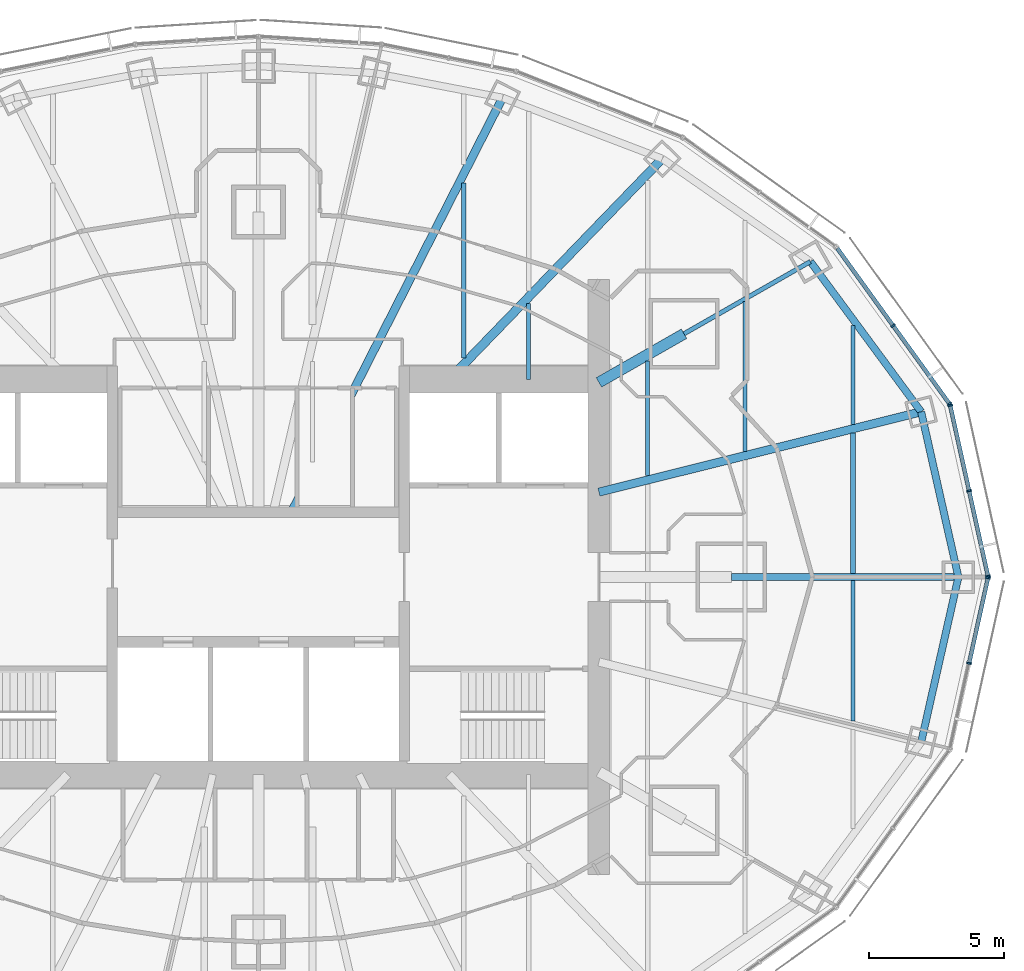
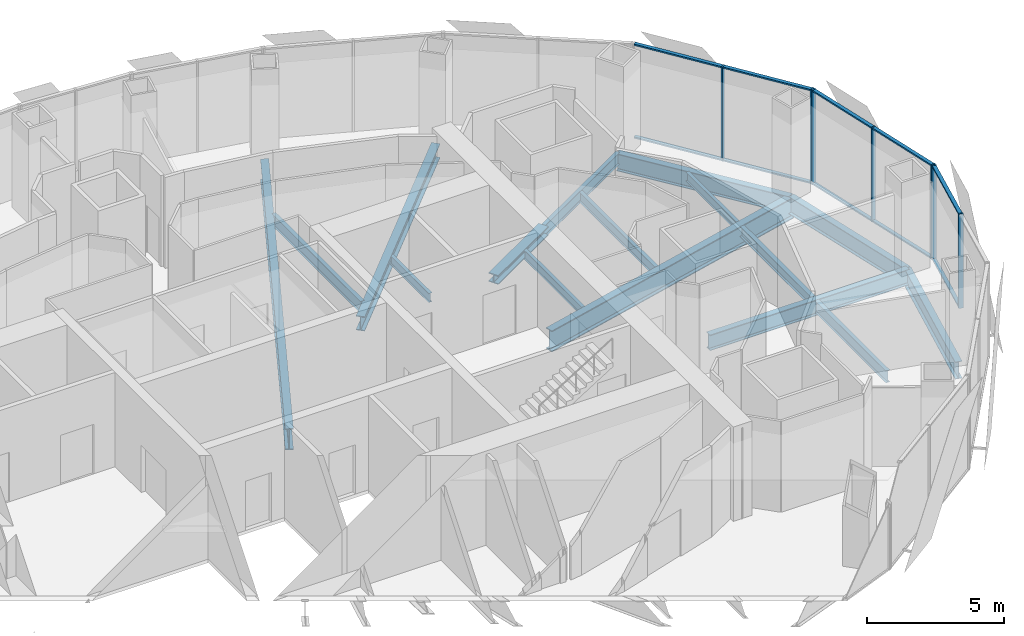
# One storey, part 7 of 18: 17 members, 16 beams, 3 elements without a shape of their own.
"""IFC4 building model written with IfcOpenShell, lengths in metres."""

from ifc_helpers import new_model, si_unit, direction, frame, origin, origin_2d, place, context, subcontext, project, spatial, rectangle, i_section, extrude, material, material_profile, profile_set, type_object, element, aggregate, save


model = new_model("IFC4")

# Units and contexts
model_context = context("Model", 3, precision=1e-05, world=origin(), true_north=direction((0.0, 1.0)))
body_context = subcontext(model_context, "Body", "Model", "MODEL_VIEW")
ifc_project = project(units=[si_unit("LENGTHUNIT", "METRE"), si_unit("AREAUNIT", "SQUARE_METRE"), si_unit("VOLUMEUNIT", "CUBIC_METRE"), si_unit("PLANEANGLEUNIT", "RADIAN"), si_unit("MASSUNIT", "GRAM", prefix="KILO")], contexts=[model_context])

# Site, building, storey
site_placement = place(None, origin())
site = spatial("IfcSite", under=ifc_project, at=site_placement, CompositionType="ELEMENT")
building_placement = place(site_placement, origin())
building = spatial("IfcBuilding", under=site, at=building_placement, Name="Lantaw Convention Tower", CompositionType="ELEMENT")
storey_placement = place(building_placement, frame((0.0, 0.0, 257.800048828125)))
storey = spatial("IfcBuildingStorey", under=building, at=storey_placement, Name="L60", CompositionType="ELEMENT", Elevation=257.800048828125)

# Beams
ifc_material_1 = material(Name="Steel ASTM A992", Category="steel")
ifc_material_profile_1 = material_profile(ifc_material_1, i_section(OverallWidth=0.2666015625, OverallDepth=0.76953125, WebThickness=0.015625, FlangeThickness=0.025390625, FilletRadius=0.0126953125, at=origin_2d()), Name="W30X132")
ifc_profile_set_1 = profile_set([ifc_material_profile_1], Name="Steel ASTM A992")
beam_type_1 = type_object("IfcBeamType", Name="Beam E W30X132", PredefinedType="SPANDREL", material=ifc_profile_set_1)
beam_1_placement = place(storey_placement, frame((25.89990234375, 0.0, -0.534912109375), z_axis=(-0.219857926596, 0.97553190215, 0.0), x_axis=(-0.97553190215, -0.219857926596, 0.0)))
element("IfcBeam", 1, at=beam_1_placement, inside=storey, type_object=beam_type_1, Name="Edge beam 1", PredefinedType="SPANDREL", context=body_context, shape_type="SweptSolid", body=[
    extrude(i_section(OverallWidth=0.2666015625, OverallDepth=0.76953125, WebThickness=0.015625, FlangeThickness=0.025390625, FilletRadius=0.0126953125, at=origin_2d()), origin(), (0.0, 0.0, 1.0), 6.267333984375),
])
beam_2_placement = place(storey_placement, frame((24.52197265625, 6.114013671875, -0.534912109375), z_axis=(-0.593639188853, 0.804731329984, 0.0), x_axis=(-0.804731329984, -0.593639188853, 0.0)))
element("IfcBeam", 2, at=beam_2_placement, inside=storey, type_object=beam_type_1, Name="Edge beam 2", PredefinedType="SPANDREL", context=body_context, shape_type="SweptSolid", body=[
    extrude(i_section(OverallWidth=0.2666015625, OverallDepth=0.76953125, WebThickness=0.015625, FlangeThickness=0.025390625, FilletRadius=0.0126953125, at=origin_2d()), origin(), (0.0, 0.0, 1.0), 6.904541015625),
])
beam_3_placement = place(storey_placement, frame((24.52197265625, -6.114013671875, -0.534912109375), z_axis=(0.219857926596, 0.97553190215, 0.0), x_axis=(-0.97553190215, 0.219857926596, 0.0)))
element("IfcBeam", 3, at=beam_3_placement, inside=storey, type_object=beam_type_1, Name="Edge beam 24", PredefinedType="SPANDREL", context=body_context, shape_type="SweptSolid", body=[
    extrude(i_section(OverallWidth=0.2666015625, OverallDepth=0.76953125, WebThickness=0.015625, FlangeThickness=0.025390625, FilletRadius=0.0126953125, at=origin_2d()), origin(), (0.0, 0.0, 1.0), 6.267333984375),
])
ifc_material_profile_2 = material_profile(ifc_material_1, i_section(OverallWidth=0.1650390625, OverallDepth=0.52587890625, WebThickness=0.0087890625, FlangeThickness=0.011474609375, FilletRadius=0.0126953125, at=origin_2d()), Name="W21X44")
ifc_profile_set_2 = profile_set([ifc_material_profile_2], Name="Steel ASTM A992")
beam_type_2 = type_object("IfcBeamType", Name="Beam G W21X44", PredefinedType="BEAM", material=ifc_profile_set_2)
beam_4_placement = place(storey_placement, frame((15.75, 9.0, -0.412841796875), z_axis=(0.868237559289, 0.496148708192, 0.0), x_axis=(-0.496148708192, 0.868237559289, 0.0)))
element("IfcBeam", 4, at=beam_4_placement, inside=storey, type_object=beam_type_2, Name="Floor girder on ray 3", PredefinedType="BEAM", context=body_context, shape_type="SweptSolid", body=[
    extrude(i_section(OverallWidth=0.1650390625, OverallDepth=0.52587890625, WebThickness=0.0087890625, FlangeThickness=0.011474609375, FilletRadius=0.0126953125, at=origin_2d()), origin(), (0.0, 0.0, 1.0), 5.38232421875),
])
ifc_material_profile_3 = material_profile(ifc_material_1, i_section(OverallWidth=0.32763671875, OverallDepth=0.64013671875, WebThickness=0.01904296875, FlangeThickness=0.033935546875, FilletRadius=0.0126953125, at=origin_2d()), Name="W24X176")
ifc_profile_set_3 = profile_set([ifc_material_profile_3], Name="Steel ASTM A992")
beam_type_3 = type_object("IfcBeamType", Name="Beam G W24X176", PredefinedType="BEAM", material=ifc_profile_set_3)
beam_5_placement = place(storey_placement, frame((7.049560546875, 7.300048828125, -0.469970703125), z_axis=(0.694657766726, 0.719340383356, 0.0), x_axis=(-0.719340383356, 0.694657766726, 0.0)))
element("IfcBeam", 5, at=beam_5_placement, inside=storey, type_object=beam_type_3, Name="Floor girder on ray 4", PredefinedType="BEAM", context=body_context, shape_type="SweptSolid", body=[
    extrude(i_section(OverallWidth=0.32763671875, OverallDepth=0.64013671875, WebThickness=0.01904296875, FlangeThickness=0.033935546875, FilletRadius=0.0126953125, at=origin_2d()), origin(), (0.0, 0.0, 1.0), 11.364990234375),
])
ifc_material_profile_4 = material_profile(ifc_material_1, i_section(OverallWidth=0.25390625, OverallDepth=0.700927734375, WebThickness=0.015380859375, FlangeThickness=0.02783203125, FilletRadius=0.01513671875, at=origin_2d()), Name="W27X129")
ifc_profile_set_4 = profile_set([ifc_material_profile_4], Name="Steel ASTM A992")
beam_type_4 = type_object("IfcBeamType", Name="Beam G W27X129", PredefinedType="BEAM", material=ifc_profile_set_4)
beam_6_placement = place(storey_placement, frame((17.5, 0.0, -0.50048828125), z_axis=(1.0, 0.0, 0.0), x_axis=(0.0, 1.0, 0.0)))
element("IfcBeam", 6, at=beam_6_placement, inside=storey, type_object=beam_type_4, Name="Floor girder on ray 1", PredefinedType="BEAM", context=body_context, shape_type="SweptSolid", body=[
    extrude(i_section(OverallWidth=0.25390625, OverallDepth=0.700927734375, WebThickness=0.015380859375, FlangeThickness=0.02783203125, FilletRadius=0.01513671875, at=origin_2d()), origin(), (0.0, 0.0, 1.0), 8.39990234375),
])
ifc_material_profile_5 = material_profile(ifc_material_1, i_section(OverallWidth=0.307373046875, OverallDepth=0.9423828125, WebThickness=0.022216796875, FlangeThickness=0.039794921875, FilletRadius=0.0126953125, at=origin_2d()), Name="W36X232")
ifc_profile_set_5 = profile_set([ifc_material_profile_5], Name="Steel ASTM A992")
beam_type_5 = type_object("IfcBeamType", Name="Beam G W36X232", PredefinedType="BEAM", material=ifc_profile_set_5)
beam_7_placement = place(storey_placement, frame((12.60009765625, 3.1416015625, -0.621337890625), z_axis=(0.970296589314, 0.241918434119, 0.0), x_axis=(-0.241918434119, 0.970296589314, 0.0)))
element("IfcBeam", 7, at=beam_7_placement, inside=storey, type_object=beam_type_5, Name="Floor girder on ray 2", PredefinedType="BEAM", context=body_context, shape_type="SweptSolid", body=[
    extrude(i_section(OverallWidth=0.307373046875, OverallDepth=0.9423828125, WebThickness=0.022216796875, FlangeThickness=0.039794921875, FilletRadius=0.0126953125, at=origin_2d()), origin(), (0.0, 0.0, 1.0), 12.286865234375),
])
beam_8_placement = place(storey_placement, frame((1.222900390625, 2.39990234375, -0.621337890625), z_axis=(0.453988481463, 0.891007552549, 0.0), x_axis=(-0.891007552549, 0.453988481463, 0.0)))
element("IfcBeam", 8, at=beam_8_placement, inside=storey, type_object=beam_type_5, Name="Floor girder on ray 5", PredefinedType="BEAM", context=body_context, shape_type="SweptSolid", body=[
    extrude(i_section(OverallWidth=0.307373046875, OverallDepth=0.9423828125, WebThickness=0.022216796875, FlangeThickness=0.039794921875, FilletRadius=0.0126953125, at=origin_2d()), origin(), (0.0, 0.0, 1.0), 17.20703125),
])
ifc_material_profile_6 = material_profile(ifc_material_1, i_section(OverallWidth=0.40380859375, OverallDepth=0.406494140625, WebThickness=0.027099609375, FlangeThickness=0.043701171875, FilletRadius=0.01513671875, at=origin_2d()), Name="W14X233")
ifc_profile_set_6 = profile_set([ifc_material_profile_6], Name="Steel ASTM A992")
beam_type_6 = type_object("IfcBeamType", Name="Beam GM W14X233", PredefinedType="BEAM", material=ifc_profile_set_6)
beam_9_placement = place(storey_placement, frame((12.60009765625, 7.199951171875, -0.353271484375), z_axis=(0.868230718294, 0.496160679428, 0.0), x_axis=(-0.496160679428, 0.868230718294, 0.0)))
element("IfcBeam", 9, at=beam_9_placement, inside=storey, type_object=beam_type_6, Name="Core link beam on ray 3", PredefinedType="BEAM", context=body_context, shape_type="SweptSolid", body=[
    extrude(i_section(OverallWidth=0.40380859375, OverallDepth=0.406494140625, WebThickness=0.027099609375, FlangeThickness=0.043701171875, FilletRadius=0.01513671875, at=origin_2d()), origin(), (0.0, 0.0, 1.0), 3.6279296875),
])
ifc_material_profile_7 = material_profile(ifc_material_1, i_section(OverallWidth=0.140380859375, OverallDepth=0.40380859375, WebThickness=0.007080078125, FlangeThickness=0.01123046875, FilletRadius=0.01025390625, at=origin_2d()), Name="W16X31")
ifc_profile_set_7 = profile_set([ifc_material_profile_7], Name="Steel ASTM A992")
beam_type_7 = type_object("IfcBeamType", Name="Beam J W16X31", PredefinedType="JOIST", material=ifc_profile_set_7)
beam_10_placement = place(storey_placement, frame((10.0, 7.300048828125, -0.35205078125), z_axis=(0.0, 1.0, 0.0), x_axis=(-1.0, 0.0, 0.0)))
element("IfcBeam", 10, at=beam_10_placement, inside=storey, type_object=beam_type_7, Name="Floor joist", PredefinedType="JOIST", context=body_context, shape_type="SweptSolid", body=[
    extrude(i_section(OverallWidth=0.140380859375, OverallDepth=0.40380859375, WebThickness=0.007080078125, FlangeThickness=0.01123046875, FilletRadius=0.01025390625, at=origin_2d()), origin(), (0.0, 0.0, 1.0), 2.8193359375),
])
beam_11_placement = place(storey_placement, frame((14.39990234375, 3.748779296875, -0.35205078125), z_axis=(0.0, 1.0, 0.0), x_axis=(-1.0, 0.0, 0.0)))
element("IfcBeam", 11, at=beam_11_placement, inside=storey, type_object=beam_type_7, Name="Floor joist", PredefinedType="JOIST", context=body_context, shape_type="SweptSolid", body=[
    extrude(i_section(OverallWidth=0.140380859375, OverallDepth=0.40380859375, WebThickness=0.007080078125, FlangeThickness=0.01123046875, FilletRadius=0.01025390625, at=origin_2d()), origin(), (0.0, 0.0, 1.0), 4.247314453125),
])
beam_12_placement = place(storey_placement, frame((22.0, 5.6435546875, -0.35205078125), z_axis=(0.0, 1.0, 0.0), x_axis=(-1.0, 0.0, 0.0)))
element("IfcBeam", 12, at=beam_12_placement, inside=storey, type_object=beam_type_7, Name="Floor joist", PredefinedType="JOIST", context=body_context, shape_type="SweptSolid", body=[
    extrude(i_section(OverallWidth=0.140380859375, OverallDepth=0.40380859375, WebThickness=0.007080078125, FlangeThickness=0.01123046875, FilletRadius=0.01025390625, at=origin_2d()), origin(), (0.0, 0.0, 1.0), 3.66455078125),
])
ifc_material_profile_8 = material_profile(ifc_material_1, i_section(OverallWidth=0.15234375, OverallDepth=0.449462890625, WebThickness=0.007568359375, FlangeThickness=0.0107421875, FilletRadius=0.01025390625, at=origin_2d()), Name="W18X35")
ifc_profile_set_8 = profile_set([ifc_material_profile_8], Name="Steel ASTM A992")
beam_type_8 = type_object("IfcBeamType", Name="Beam J W18X35", PredefinedType="JOIST", material=ifc_profile_set_8)
beam_13_placement = place(storey_placement, frame((18.0, 4.646240234375, -0.374755859375), z_axis=(0.0, 1.0, 0.0), x_axis=(-1.0, 0.0, 0.0)))
element("IfcBeam", 13, at=beam_13_placement, inside=storey, type_object=beam_type_8, Name="Floor joist", PredefinedType="JOIST", context=body_context, shape_type="SweptSolid", body=[
    extrude(i_section(OverallWidth=0.15234375, OverallDepth=0.449462890625, WebThickness=0.007568359375, FlangeThickness=0.0107421875, FilletRadius=0.01025390625, at=origin_2d()), origin(), (0.0, 0.0, 1.0), 5.54443359375),
])
ifc_material_profile_9 = material_profile(ifc_material_1, i_section(OverallWidth=0.1904296875, OverallDepth=0.457275390625, WebThickness=0.009033203125, FlangeThickness=0.014404296875, FilletRadius=0.01025390625, at=origin_2d()), Name="W18X50")
ifc_profile_set_9 = profile_set([ifc_material_profile_9], Name="Steel ASTM A992")
beam_type_9 = type_object("IfcBeamType", Name="Beam J W18X50", PredefinedType="JOIST", material=ifc_profile_set_9)
beam_14_placement = place(storey_placement, frame((22.0, 0.126953125, -0.378662109375), z_axis=(0.0, 1.0, 0.0), x_axis=(-1.0, 0.0, 0.0)))
element("IfcBeam", 14, at=beam_14_placement, inside=storey, type_object=beam_type_9, Name="Floor joist", PredefinedType="JOIST", context=body_context, shape_type="SweptSolid", body=[
    extrude(i_section(OverallWidth=0.1904296875, OverallDepth=0.457275390625, WebThickness=0.009033203125, FlangeThickness=0.014404296875, FilletRadius=0.01025390625, at=origin_2d()), origin(), (0.0, 0.0, 1.0), 5.199951171875),
])
ifc_material_profile_10 = material_profile(ifc_material_1, i_section(OverallWidth=0.1650390625, OverallDepth=0.52587890625, WebThickness=0.0087890625, FlangeThickness=0.011474609375, FilletRadius=0.0126953125, at=origin_2d()), Name="W21X44")
ifc_profile_set_10 = profile_set([ifc_material_profile_10], Name="Steel ASTM A992")
beam_type_10 = type_object("IfcBeamType", Name="Beam J W21X44", PredefinedType="JOIST", material=ifc_profile_set_10)
beam_15_placement = place(storey_placement, frame((7.60009765625, 8.10595703125, -0.412841796875), z_axis=(0.0, 1.0, 0.0), x_axis=(-1.0, 0.0, 0.0)))
element("IfcBeam", 15, at=beam_15_placement, inside=storey, type_object=beam_type_10, Name="Floor joist", PredefinedType="JOIST", context=body_context, shape_type="SweptSolid", body=[
    extrude(i_section(OverallWidth=0.1650390625, OverallDepth=0.52587890625, WebThickness=0.0087890625, FlangeThickness=0.011474609375, FilletRadius=0.0126953125, at=origin_2d()), origin(), (0.0, 0.0, 1.0), 6.471435546875),
])
beam_16_placement = place(storey_placement, frame((22.0, -5.326904296875, -0.412841796875), z_axis=(0.0, 1.0, 0.0), x_axis=(-1.0, 0.0, 0.0)))
element("IfcBeam", 16, at=beam_16_placement, inside=storey, type_object=beam_type_10, Name="Floor joist", PredefinedType="JOIST", context=body_context, shape_type="SweptSolid", body=[
    extrude(i_section(OverallWidth=0.1650390625, OverallDepth=0.52587890625, WebThickness=0.0087890625, FlangeThickness=0.011474609375, FilletRadius=0.0126953125, at=origin_2d()), origin(), (0.0, 0.0, 1.0), 5.199951171875),
])

# Curtain wall, members
ifc_material_2 = material(Name="Aluminium framed curtain wall", Category="aluminium")
curtain_wall_type = type_object("IfcCurtainWallType", Name="Office curtain wall high rise, pale aluminium", PredefinedType="USERDEFINED", material=ifc_material_2)
curtain_wall_1_placement = place(storey_placement, origin())
curtain_wall_1 = element("IfcCurtainWall", 17, at=curtain_wall_1_placement, inside=storey, type_object=curtain_wall_type, Name="Office curtain wall high rise, pale aluminium L60", ObjectType="UNITISED CURTAIN WALL", PredefinedType="USERDEFINED")
ifc_material_3 = material(Name="Aluminium 6063-T6", Category="aluminium")
ifc_material_profile_11 = material_profile(ifc_material_3, rectangle(XDim=0.179931640625, YDim=0.06494140625, at=origin_2d()), Name="CW-O2 mullion 65x180")
ifc_profile_set_11 = profile_set([ifc_material_profile_11], Name="Aluminium 6063-T6")
member_type_1 = type_object("IfcMemberType", Name="CW-O2 mullion 65x180", PredefinedType="MULLION", material=ifc_profile_set_11)
member_1_placement = place(storey_placement, frame((26.992919921875, 0.03173828125, -0.150146484375), z_axis=(0.0, 0.0, 1.0), x_axis=(-0.976417396437, -0.215891333626, 0.0)))
member_1 = element("IfcMember", 18, at=member_1_placement, type_object=member_type_1, Name="CW-O2 mullion 1", PredefinedType="MULLION", context=body_context, shape_type="SweptSolid", body=[
    extrude(rectangle(XDim=0.179931640625, YDim=0.06494140625, at=origin_2d()), origin(), (0.0, 0.0, 1.0), 4.2001953125),
])
member_2_placement = place(storey_placement, frame((26.294677734375, 3.190185546875, -0.150146484375), z_axis=(0.0, 0.0, 1.0), x_axis=(-0.976417396437, -0.215891333626, 0.0)))
member_2 = element("IfcMember", 19, at=member_2_placement, type_object=member_type_1, Name="CW-O2 mullion 2", PredefinedType="MULLION", context=body_context, shape_type="SweptSolid", body=[
    extrude(rectangle(XDim=0.179931640625, YDim=0.06494140625, at=origin_2d()), origin(), (0.0, 0.0, 1.0), 4.2001953125),
])
member_3_placement = place(storey_placement, frame((25.596435546875, 6.348388671875, -0.150146484375), z_axis=(0.0, 0.0, 1.0), x_axis=(-0.976417396437, -0.215891333626, 0.0)))
member_3 = element("IfcMember", 20, at=member_3_placement, type_object=member_type_1, Name="CW-O2 mullion 3", PredefinedType="MULLION", context=body_context, shape_type="SweptSolid", body=[
    extrude(rectangle(XDim=0.179931640625, YDim=0.06494140625, at=origin_2d()), origin(), (0.0, 0.0, 1.0), 4.2001953125),
])

curtain_wall_2_placement = place(storey_placement, origin())
curtain_wall_2 = element("IfcCurtainWall", 21, at=curtain_wall_2_placement, inside=storey, type_object=curtain_wall_type, Name="Office curtain wall high rise, pale aluminium L60", ObjectType="UNITISED CURTAIN WALL", PredefinedType="USERDEFINED")
member_4_placement = place(storey_placement, frame((25.5703125, 6.406494140625, -0.150146484375), z_axis=(0.0, 0.0, 1.0), x_axis=(-0.810919559405, -0.585157643865, 0.0)))
member_4 = element("IfcMember", 22, at=member_4_placement, type_object=member_type_1, Name="CW-O2 mullion 1", PredefinedType="MULLION", context=body_context, shape_type="SweptSolid", body=[
    extrude(rectangle(XDim=0.179931640625, YDim=0.06494140625, at=origin_2d()), origin(), (0.0, 0.0, 1.0), 4.2001953125),
])
member_5_placement = place(storey_placement, frame((23.483642578125, 9.298095703125, -0.150146484375), z_axis=(0.0, 0.0, 1.0), x_axis=(-0.810919559405, -0.585157643865, 0.0)))
member_5 = element("IfcMember", 23, at=member_5_placement, type_object=member_type_1, Name="CW-O2 mullion 2", PredefinedType="MULLION", context=body_context, shape_type="SweptSolid", body=[
    extrude(rectangle(XDim=0.179931640625, YDim=0.06494140625, at=origin_2d()), origin(), (0.0, 0.0, 1.0), 4.2001953125),
])

curtain_wall_3_placement = place(storey_placement, origin())
curtain_wall_3 = element("IfcCurtainWall", 24, at=curtain_wall_3_placement, inside=storey, type_object=curtain_wall_type, Name="Office curtain wall high rise, pale aluminium L60", ObjectType="UNITISED CURTAIN WALL", PredefinedType="USERDEFINED")
member_6_placement = place(storey_placement, frame((26.294677734375, -3.190185546875, -0.150146484375), z_axis=(0.0, 0.0, 1.0), x_axis=(-0.976417396437, 0.215891333626, 0.0)))
member_6 = element("IfcMember", 25, at=member_6_placement, type_object=member_type_1, Name="CW-O2 mullion 2", PredefinedType="MULLION", context=body_context, shape_type="SweptSolid", body=[
    extrude(rectangle(XDim=0.179931640625, YDim=0.06494140625, at=origin_2d()), origin(), (0.0, 0.0, 1.0), 4.2001953125),
])
member_7_placement = place(storey_placement, frame((26.992919921875, -0.03173828125, -0.150146484375), z_axis=(0.0, 0.0, 1.0), x_axis=(-0.976417396437, 0.215891333626, 0.0)))
member_7 = element("IfcMember", 26, at=member_7_placement, type_object=member_type_1, Name="CW-O2 mullion 3", PredefinedType="MULLION", context=body_context, shape_type="SweptSolid", body=[
    extrude(rectangle(XDim=0.179931640625, YDim=0.06494140625, at=origin_2d()), origin(), (0.0, 0.0, 1.0), 4.2001953125),
])

# Member
ifc_material_profile_12 = material_profile(ifc_material_3, rectangle(XDim=0.14990234375, YDim=0.06494140625, at=origin_2d()), Name="CW-O2 transom 65x150")
ifc_profile_set_12 = profile_set([ifc_material_profile_12], Name="Aluminium 6063-T6")
member_type_2 = type_object("IfcMemberType", Name="CW-O2 transom 65x150", PredefinedType="USERDEFINED", material=ifc_profile_set_12)
member_8_placement = place(storey_placement, frame((26.986083984375, 0.0634765625, -0.117431640625), z_axis=(-0.215894607042, 0.976416672661, 0.0), x_axis=(-0.976416672661, -0.215894607042, 0.0)))
member_8 = element("IfcMember", 27, at=member_8_placement, type_object=member_type_2, Name="CW-O2 transom 1.1", ObjectType="TRANSOM", PredefinedType="USERDEFINED", context=body_context, shape_type="SweptSolid", body=[
    extrude(rectangle(XDim=0.14990234375, YDim=0.06494140625, at=origin_2d()), origin(), (0.0, 0.0, 1.0), 3.169677734375),
])

member_9_placement = place(storey_placement, frame((26.986083984375, 0.0634765625, 4.017333984375), z_axis=(-0.215894607042, 0.976416672661, 0.0), x_axis=(-0.976416672661, -0.215894607042, 0.0)))
member_9 = element("IfcMember", 28, at=member_9_placement, type_object=member_type_2, Name="CW-O2 transom 1.2", ObjectType="TRANSOM", PredefinedType="USERDEFINED", context=body_context, shape_type="SweptSolid", body=[
    extrude(rectangle(XDim=0.14990234375, YDim=0.06494140625, at=origin_2d()), origin(), (0.0, 0.0, 1.0), 3.169677734375),
])

member_10_placement = place(storey_placement, frame((26.28759765625, 3.2216796875, -0.117431640625), z_axis=(-0.215894607042, 0.976416672661, 0.0), x_axis=(-0.976416672661, -0.215894607042, 0.0)))
member_10 = element("IfcMember", 29, at=member_10_placement, type_object=member_type_2, Name="CW-O2 transom 2.1", ObjectType="TRANSOM", PredefinedType="USERDEFINED", context=body_context, shape_type="SweptSolid", body=[
    extrude(rectangle(XDim=0.14990234375, YDim=0.06494140625, at=origin_2d()), origin(), (0.0, 0.0, 1.0), 3.169677734375),
])

member_11_placement = place(storey_placement, frame((26.28759765625, 3.2216796875, 4.017333984375), z_axis=(-0.215894607042, 0.976416672661, 0.0), x_axis=(-0.976416672661, -0.215894607042, 0.0)))
member_11 = element("IfcMember", 30, at=member_11_placement, type_object=member_type_2, Name="CW-O2 transom 2.2", ObjectType="TRANSOM", PredefinedType="USERDEFINED", context=body_context, shape_type="SweptSolid", body=[
    extrude(rectangle(XDim=0.14990234375, YDim=0.06494140625, at=origin_2d()), origin(), (0.0, 0.0, 1.0), 3.169677734375),
])

aggregate(curtain_wall_1, [member_1, member_2, member_3, member_8, member_9, member_10, member_11])

member_12_placement = place(storey_placement, frame((25.55126953125, 6.432861328125, -0.117431640625), z_axis=(-0.585169685931, 0.810910869743, 0.0), x_axis=(-0.810910869743, -0.585169685931, 0.0)))
member_12 = element("IfcMember", 31, at=member_12_placement, type_object=member_type_2, Name="CW-O2 transom 1.1", ObjectType="TRANSOM", PredefinedType="USERDEFINED", context=body_context, shape_type="SweptSolid", body=[
    extrude(rectangle(XDim=0.14990234375, YDim=0.06494140625, at=origin_2d()), origin(), (0.0, 0.0, 1.0), 3.500732421875),
])

member_13_placement = place(storey_placement, frame((25.55126953125, 6.432861328125, 4.017333984375), z_axis=(-0.585169685931, 0.810910869743, 0.0), x_axis=(-0.810910869743, -0.585169685931, 0.0)))
member_13 = element("IfcMember", 32, at=member_13_placement, type_object=member_type_2, Name="CW-O2 transom 1.2", ObjectType="TRANSOM", PredefinedType="USERDEFINED", context=body_context, shape_type="SweptSolid", body=[
    extrude(rectangle(XDim=0.14990234375, YDim=0.06494140625, at=origin_2d()), origin(), (0.0, 0.0, 1.0), 3.500732421875),
])

member_14_placement = place(storey_placement, frame((23.464599609375, 9.324462890625, -0.117431640625), z_axis=(-0.585123825205, 0.810943961798, 0.0), x_axis=(-0.810943961798, -0.585123825205, 0.0)))
member_14 = element("IfcMember", 33, at=member_14_placement, type_object=member_type_2, Name="CW-O2 transom 2.1", ObjectType="TRANSOM", PredefinedType="USERDEFINED", context=body_context, shape_type="SweptSolid", body=[
    extrude(rectangle(XDim=0.14990234375, YDim=0.06494140625, at=origin_2d()), origin(), (0.0, 0.0, 1.0), 3.500732421875),
])

member_15_placement = place(storey_placement, frame((23.464599609375, 9.324462890625, 4.017333984375), z_axis=(-0.585123825205, 0.810943961798, 0.0), x_axis=(-0.810943961798, -0.585123825205, 0.0)))
member_15 = element("IfcMember", 34, at=member_15_placement, type_object=member_type_2, Name="CW-O2 transom 2.2", ObjectType="TRANSOM", PredefinedType="USERDEFINED", context=body_context, shape_type="SweptSolid", body=[
    extrude(rectangle(XDim=0.14990234375, YDim=0.06494140625, at=origin_2d()), origin(), (0.0, 0.0, 1.0), 3.500732421875),
])

aggregate(curtain_wall_2, [member_4, member_5, member_12, member_13, member_14, member_15])

member_16_placement = place(storey_placement, frame((26.3017578125, -3.158447265625, -0.117431640625), z_axis=(0.215894607042, 0.976416672661, 0.0), x_axis=(-0.976416672661, 0.215894607042, 0.0)))
member_16 = element("IfcMember", 35, at=member_16_placement, type_object=member_type_2, Name="CW-O2 transom 2.1", ObjectType="TRANSOM", PredefinedType="USERDEFINED", context=body_context, shape_type="SweptSolid", body=[
    extrude(rectangle(XDim=0.14990234375, YDim=0.06494140625, at=origin_2d()), origin(), (0.0, 0.0, 1.0), 3.169677734375),
])

member_17_placement = place(storey_placement, frame((26.3017578125, -3.158447265625, 4.017333984375), z_axis=(0.215894607042, 0.976416672661, 0.0), x_axis=(-0.976416672661, 0.215894607042, 0.0)))
member_17 = element("IfcMember", 36, at=member_17_placement, type_object=member_type_2, Name="CW-O2 transom 2.2", ObjectType="TRANSOM", PredefinedType="USERDEFINED", context=body_context, shape_type="SweptSolid", body=[
    extrude(rectangle(XDim=0.14990234375, YDim=0.06494140625, at=origin_2d()), origin(), (0.0, 0.0, 1.0), 3.169677734375),
])

aggregate(curtain_wall_3, [member_6, member_7, member_16, member_17])

save(model, "model.ifc")
